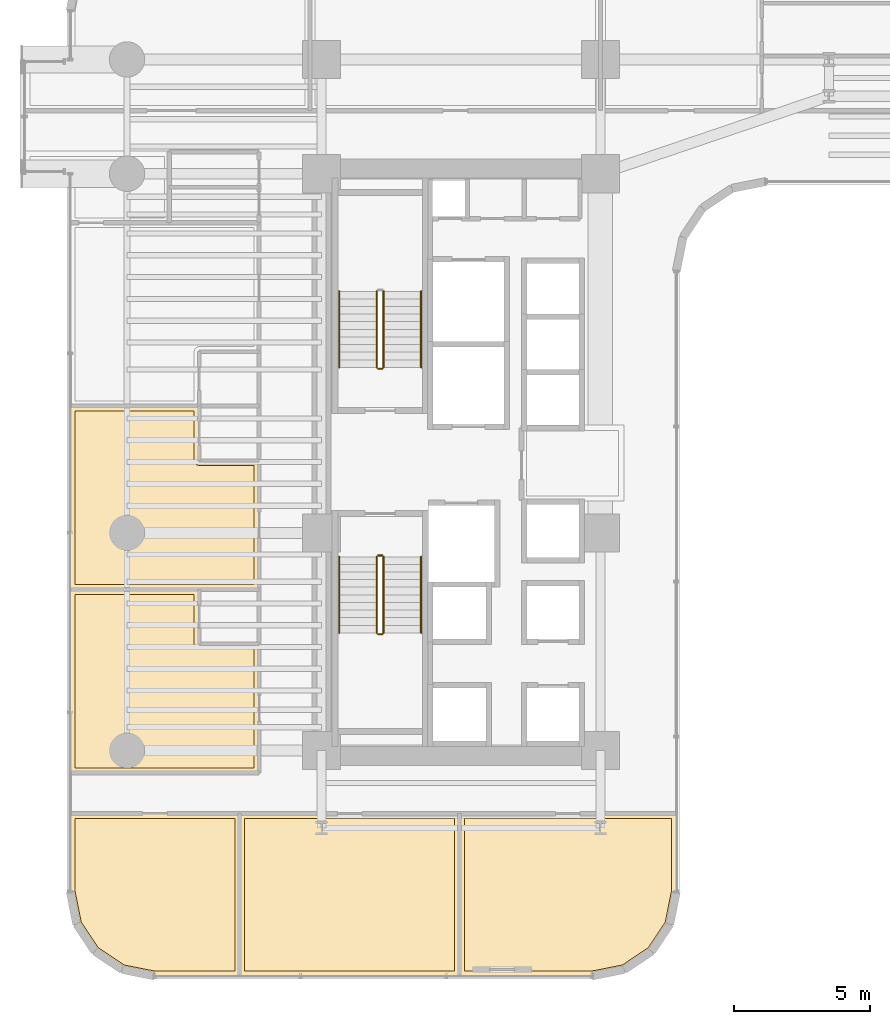
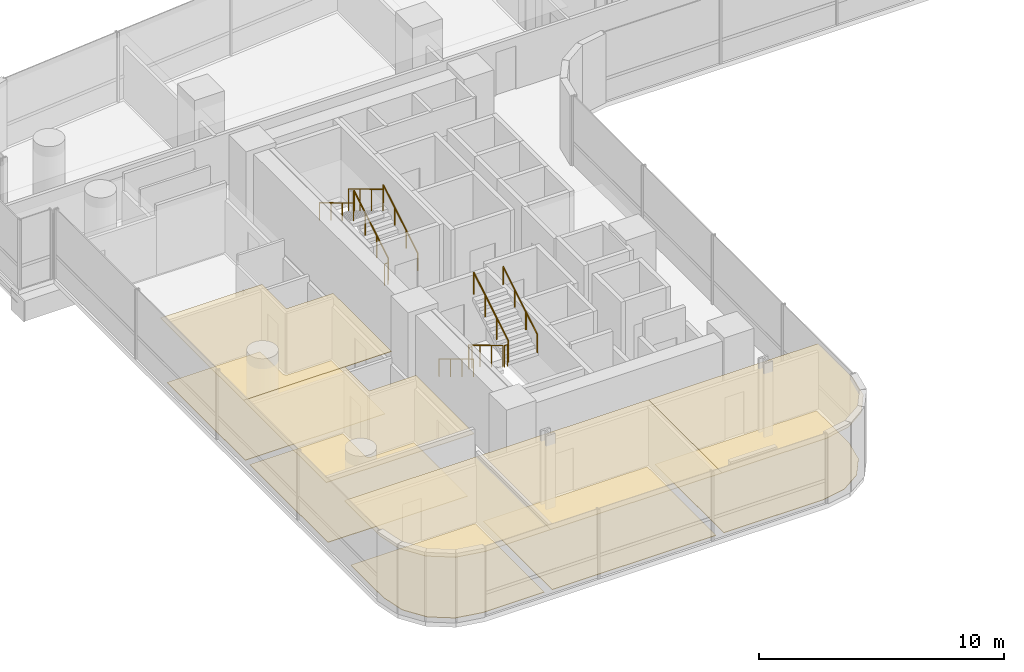
# One storey, part 37 of 41: 11 railings, 10 coverings.
"""IFC4 building model written with IfcOpenShell, lengths in metres."""

from ifc_helpers import new_model, si_unit, direction, frame, origin, origin_2d, place, context, subcontext, project, spatial, polyline, circle, outline, extrude, material, layer, layer_set, type_object, element, save


model = new_model("IFC4")

# Units and contexts
model_context = context("Model", 3, precision=1e-05, world=origin(), true_north=direction((0.0, 1.0)))
body_context = subcontext(model_context, "Body", "Model", "MODEL_VIEW")
ifc_project = project(units=[si_unit("LENGTHUNIT", "METRE"), si_unit("AREAUNIT", "SQUARE_METRE"), si_unit("VOLUMEUNIT", "CUBIC_METRE"), si_unit("PLANEANGLEUNIT", "RADIAN"), si_unit("MASSUNIT", "GRAM", prefix="KILO")], contexts=[model_context])

# Site, building, storey
site_placement = place(None, origin())
site = spatial("IfcSite", under=ifc_project, at=site_placement, CompositionType="ELEMENT")
building_placement = place(site_placement, origin())
building = spatial("IfcBuilding", under=site, at=building_placement, Name="Valdorenza Pilgrim Sanctuary Tower", CompositionType="ELEMENT")
storey_placement = place(building_placement, frame((0.0, 0.0, 85.199951171875)))
storey = spatial("IfcBuildingStorey", under=building, at=storey_placement, Name="L21", CompositionType="ELEMENT", Elevation=85.199951171875)

# Coverings
ifc_material_1 = material(Name="Micro-perforated acoustic mineral ceiling tile", Category="gypsum")
ifc_layer_1 = layer(ifc_material_1, 0.02490234375, Name="Micro-perforated acoustic mineral ceiling tile")
ifc_layer_set_1 = layer_set([ifc_layer_1], Name="Micro-perforated acoustic mineral ceiling tile")
covering_type_1 = type_object("IfcCoveringType", Name="COV-CLG-ACU", PredefinedType="CEILING", material=ifc_layer_set_1)
covering_1_placement = place(storey_placement, frame((0.0, 0.0, 3.16015625)))
element("IfcCovering", 1, at=covering_1_placement, inside=storey, type_object=covering_type_1, Name="L21 Sanctuary Guest Room L21-W1 Acoustic Ceiling", PredefinedType="CEILING", context=body_context, shape_type="SweptSolid", body=[
    extrude(outline(polyline([(-31.905029296875, -4.679931640625), (-31.90478515625, -4.678466796875), (-31.90478515625, -4.677001953125), (-31.904296875, -4.675537109375), (-31.90380859375, -4.67431640625), (-31.9033203125, -4.6728515625), (-31.902587890625, -4.671630859375), (-31.901611328125, -4.67041015625), (-31.900634765625, -4.66943359375), (-31.8994140625, -4.66845703125), (-31.898193359375, -4.66748046875), (-31.897216796875, -4.666748046875), (-31.895751953125, -4.666015625), (-31.894287109375, -4.66552734375), (-31.892822265625, -4.665283203125), (-31.8916015625, -4.6650390625), (-31.889892578125, -4.6650390625), (-27.152099609375, -4.6650390625), (-27.150390625, -4.6650390625), (-27.149169921875, -4.665283203125), (-27.147705078125, -4.66552734375), (-27.146240234375, -4.666015625), (-27.14501953125, -4.666748046875), (-27.143798828125, -4.66748046875), (-27.142578125, -4.66845703125), (-27.141357421875, -4.66943359375), (-27.140380859375, -4.67041015625), (-27.139404296875, -4.671630859375), (-27.138916015625, -4.6728515625), (-27.13818359375, -4.67431640625), (-27.1376953125, -4.675537109375), (-27.13720703125, -4.677001953125), (-27.13720703125, -4.678466796875), (-27.136962890625, -4.679931640625), (-27.136962890625, -6.6669921875), (-24.949951171875, -6.6669921875), (-24.948486328125, -6.6669921875), (-24.947021484375, -6.667236328125), (-24.945556640625, -6.66748046875), (-24.9443359375, -6.668212890625), (-24.94287109375, -6.668701171875), (-24.941650390625, -6.66943359375), (-24.9404296875, -6.67041015625), (-24.939453125, -6.67138671875), (-24.9384765625, -6.672607421875), (-24.9375, -6.673583984375), (-24.936767578125, -6.6748046875), (-24.93603515625, -6.67626953125), (-24.935546875, -6.677490234375), (-24.935302734375, -6.67919921875), (-24.93505859375, -6.680419921875), (-24.93505859375, -6.681884765625), (-24.93505859375, -11.419921875), (-24.93505859375, -11.42138671875), (-24.935302734375, -11.4228515625), (-24.935546875, -11.42431640625), (-24.93603515625, -11.42578125), (-24.936767578125, -11.427001953125), (-24.9375, -11.42822265625), (-24.9384765625, -11.429443359375), (-24.939453125, -11.4306640625), (-24.9404296875, -11.431640625), (-24.941650390625, -11.4326171875), (-24.94287109375, -11.43310546875), (-24.9443359375, -11.433837890625), (-24.945556640625, -11.434326171875), (-24.947021484375, -11.434814453125), (-24.948486328125, -11.434814453125), (-24.949951171875, -11.43505859375), (-31.889892578125, -11.43505859375), (-31.8916015625, -11.434814453125), (-31.892822265625, -11.434814453125), (-31.894287109375, -11.434326171875), (-31.895751953125, -11.433837890625), (-31.897216796875, -11.43310546875), (-31.898193359375, -11.4326171875), (-31.8994140625, -11.431640625), (-31.900634765625, -11.4306640625), (-31.901611328125, -11.429443359375), (-31.902587890625, -11.42822265625), (-31.9033203125, -11.427001953125), (-31.90380859375, -11.42578125), (-31.904296875, -11.42431640625), (-31.90478515625, -11.4228515625), (-31.90478515625, -11.42138671875), (-31.905029296875, -11.419921875), (-31.905029296875, -4.679931640625)])), origin(), (0.0, 0.0, 1.0), 0.02490234375),
])
covering_2_placement = place(storey_placement, frame((0.0, 0.0, 3.16015625)))
element("IfcCovering", 2, at=covering_2_placement, inside=storey, type_object=covering_type_1, Name="L21 Sanctuary Guest Room L21-W2 Acoustic Ceiling", PredefinedType="CEILING", context=body_context, shape_type="SweptSolid", body=[
    extrude(outline(polyline([(-31.905029296875, 2.06005859375), (-31.90478515625, 2.0615234375), (-31.90478515625, 2.06298828125), (-31.904296875, 2.064453125), (-31.90380859375, 2.065673828125), (-31.9033203125, 2.067138671875), (-31.902587890625, 2.068359375), (-31.901611328125, 2.069580078125), (-31.900634765625, 2.070556640625), (-31.8994140625, 2.071533203125), (-31.898193359375, 2.072509765625), (-31.897216796875, 2.0732421875), (-31.895751953125, 2.073974609375), (-31.894287109375, 2.074462890625), (-31.892822265625, 2.07470703125), (-31.8916015625, 2.074951171875), (-31.889892578125, 2.074951171875), (-27.152099609375, 2.074951171875), (-27.150390625, 2.074951171875), (-27.149169921875, 2.07470703125), (-27.147705078125, 2.074462890625), (-27.146240234375, 2.073974609375), (-27.14501953125, 2.0732421875), (-27.143798828125, 2.072509765625), (-27.142578125, 2.071533203125), (-27.141357421875, 2.070556640625), (-27.140380859375, 2.069580078125), (-27.139404296875, 2.068359375), (-27.138916015625, 2.067138671875), (-27.13818359375, 2.065673828125), (-27.1376953125, 2.064453125), (-27.13720703125, 2.06298828125), (-27.13720703125, 2.0615234375), (-27.136962890625, 2.06005859375), (-27.136962890625, 0.072998046875), (-24.949951171875, 0.072998046875), (-24.948486328125, 0.072998046875), (-24.947021484375, 0.07275390625), (-24.945556640625, 0.072509765625), (-24.9443359375, 0.072021484375), (-24.94287109375, 0.0712890625), (-24.941650390625, 0.070556640625), (-24.9404296875, 0.069580078125), (-24.939453125, 0.068603515625), (-24.9384765625, 0.0673828125), (-24.9375, 0.06640625), (-24.936767578125, 0.065185546875), (-24.93603515625, 0.063720703125), (-24.935546875, 0.0625), (-24.935302734375, 0.060791015625), (-24.93505859375, 0.0595703125), (-24.93505859375, 0.05810546875), (-24.93505859375, -4.677978515625), (-24.93505859375, -4.679443359375), (-24.935302734375, -4.680908203125), (-24.935546875, -4.682373046875), (-24.93603515625, -4.68359375), (-24.936767578125, -4.68505859375), (-24.9375, -4.686279296875), (-24.9384765625, -4.6875), (-24.939453125, -4.688720703125), (-24.9404296875, -4.689697265625), (-24.941650390625, -4.6904296875), (-24.94287109375, -4.691162109375), (-24.9443359375, -4.69189453125), (-24.945556640625, -4.6923828125), (-24.947021484375, -4.692626953125), (-24.948486328125, -4.69287109375), (-24.949951171875, -4.693115234375), (-27.148193359375, -4.693115234375), (-27.14892578125, -4.693115234375), (-27.150390625, -4.693359375), (-27.152099609375, -4.693115234375), (-27.153564453125, -4.693115234375), (-27.15380859375, -4.693115234375), (-31.889892578125, -4.693115234375), (-31.8916015625, -4.69287109375), (-31.892822265625, -4.692626953125), (-31.894287109375, -4.6923828125), (-31.895751953125, -4.69189453125), (-31.897216796875, -4.691162109375), (-31.898193359375, -4.6904296875), (-31.8994140625, -4.689697265625), (-31.900634765625, -4.688720703125), (-31.901611328125, -4.6875), (-31.902587890625, -4.686279296875), (-31.9033203125, -4.68505859375), (-31.90380859375, -4.68359375), (-31.904296875, -4.682373046875), (-31.90478515625, -4.680908203125), (-31.90478515625, -4.679443359375), (-31.905029296875, -4.677978515625), (-31.905029296875, 2.06005859375)])), origin(), (0.0, 0.0, 1.0), 0.02490234375),
])
covering_3_placement = place(storey_placement, frame((0.0, 0.0, 3.16015625)))
element("IfcCovering", 3, at=covering_3_placement, inside=storey, type_object=covering_type_1, Name="L21 Retreat Discussion Room L21-S1 Acoustic Ceiling", PredefinedType="CEILING", context=body_context, shape_type="SweptSolid", body=[
    extrude(outline(polyline([(-25.64501953125, -18.889892578125), (-25.64501953125, -18.8916015625), (-25.645263671875, -18.892822265625), (-25.6455078125, -18.894287109375), (-25.64599609375, -18.895751953125), (-25.646728515625, -18.897216796875), (-25.6474609375, -18.898193359375), (-25.6484375, -18.8994140625), (-25.6494140625, -18.900634765625), (-25.650390625, -18.901611328125), (-25.651611328125, -18.902587890625), (-25.65283203125, -18.9033203125), (-25.654296875, -18.90380859375), (-25.655517578125, -18.904296875), (-25.656982421875, -18.90478515625), (-25.658447265625, -18.90478515625), (-25.659912109375, -18.905029296875), (-28.789306640625, -18.905029296875), (-28.79052734375, -18.90478515625), (-28.7919921875, -18.90478515625), (-29.984619140625, -18.66748046875), (-29.986083984375, -18.6669921875), (-29.9873046875, -18.66650390625), (-29.98876953125, -18.666015625), (-29.989990234375, -18.665283203125), (-30.99169921875, -17.995849609375), (-30.992919921875, -17.9951171875), (-30.993896484375, -17.993896484375), (-30.9951171875, -17.992919921875), (-30.995849609375, -17.99169921875), (-31.665283203125, -16.989990234375), (-31.666015625, -16.98876953125), (-31.66650390625, -16.9873046875), (-31.6669921875, -16.986083984375), (-31.66748046875, -16.984619140625), (-31.90478515625, -15.7919921875), (-31.90478515625, -15.79052734375), (-31.905029296875, -15.789306640625), (-31.905029296875, -12.919921875), (-31.90478515625, -12.91845703125), (-31.90478515625, -12.9169921875), (-31.904296875, -12.91552734375), (-31.90380859375, -12.914306640625), (-31.9033203125, -12.912841796875), (-31.902587890625, -12.91162109375), (-31.901611328125, -12.910400390625), (-31.900634765625, -12.909423828125), (-31.8994140625, -12.908447265625), (-31.898193359375, -12.907470703125), (-31.897216796875, -12.90673828125), (-31.895751953125, -12.906005859375), (-31.894287109375, -12.905517578125), (-31.892822265625, -12.9052734375), (-31.8916015625, -12.905029296875), (-31.889892578125, -12.905029296875), (-25.659912109375, -12.905029296875), (-25.658447265625, -12.905029296875), (-25.656982421875, -12.9052734375), (-25.655517578125, -12.905517578125), (-25.654296875, -12.906005859375), (-25.65283203125, -12.90673828125), (-25.651611328125, -12.907470703125), (-25.650390625, -12.908447265625), (-25.6494140625, -12.909423828125), (-25.6484375, -12.910400390625), (-25.6474609375, -12.91162109375), (-25.646728515625, -12.912841796875), (-25.64599609375, -12.914306640625), (-25.6455078125, -12.91552734375), (-25.645263671875, -12.9169921875), (-25.64501953125, -12.91845703125), (-25.64501953125, -12.919921875), (-25.64501953125, -18.889892578125)])), origin(), (0.0, 0.0, 1.0), 0.02490234375),
])
covering_4_placement = place(storey_placement, frame((0.0, 0.0, 3.16015625)))
element("IfcCovering", 4, at=covering_4_placement, inside=storey, type_object=covering_type_1, Name="L21 Retreat Discussion Room L21-S2 Acoustic Ceiling", PredefinedType="CEILING", context=body_context, shape_type="SweptSolid", body=[
    extrude(outline(polyline([(-17.580078125, -12.905029296875), (-17.57861328125, -12.905029296875), (-17.5771484375, -12.9052734375), (-17.57568359375, -12.905517578125), (-17.57421875, -12.906005859375), (-17.572998046875, -12.90673828125), (-17.57177734375, -12.907470703125), (-17.570556640625, -12.908447265625), (-17.5693359375, -12.909423828125), (-17.568359375, -12.910400390625), (-17.5673828125, -12.91162109375), (-17.56689453125, -12.912841796875), (-17.566162109375, -12.914306640625), (-17.565673828125, -12.91552734375), (-17.565185546875, -12.9169921875), (-17.565185546875, -12.91845703125), (-17.56494140625, -12.919921875), (-17.56494140625, -18.889892578125), (-17.565185546875, -18.8916015625), (-17.565185546875, -18.892822265625), (-17.565673828125, -18.894287109375), (-17.566162109375, -18.895751953125), (-17.56689453125, -18.897216796875), (-17.5673828125, -18.898193359375), (-17.568359375, -18.8994140625), (-17.5693359375, -18.900634765625), (-17.570556640625, -18.901611328125), (-17.57177734375, -18.902587890625), (-17.572998046875, -18.9033203125), (-17.57421875, -18.90380859375), (-17.57568359375, -18.904296875), (-17.5771484375, -18.90478515625), (-17.57861328125, -18.90478515625), (-17.580078125, -18.905029296875), (-25.657958984375, -18.905029296875), (-25.659423828125, -18.90478515625), (-25.660888671875, -18.90478515625), (-25.662353515625, -18.904296875), (-25.663818359375, -18.90380859375), (-25.6650390625, -18.9033203125), (-25.666259765625, -18.902587890625), (-25.66748046875, -18.901611328125), (-25.668701171875, -18.900634765625), (-25.669677734375, -18.8994140625), (-25.67041015625, -18.898193359375), (-25.671142578125, -18.897216796875), (-25.671875, -18.895751953125), (-25.67236328125, -18.894287109375), (-25.672607421875, -18.892822265625), (-25.6728515625, -18.8916015625), (-25.673095703125, -18.889892578125), (-25.673095703125, -12.919921875), (-25.6728515625, -12.91845703125), (-25.672607421875, -12.9169921875), (-25.67236328125, -12.91552734375), (-25.671875, -12.914306640625), (-25.671142578125, -12.912841796875), (-25.67041015625, -12.91162109375), (-25.669677734375, -12.910400390625), (-25.668701171875, -12.909423828125), (-25.66748046875, -12.908447265625), (-25.666259765625, -12.907470703125), (-25.6650390625, -12.90673828125), (-25.663818359375, -12.906005859375), (-25.662353515625, -12.905517578125), (-25.660888671875, -12.9052734375), (-25.659423828125, -12.905029296875), (-25.657958984375, -12.905029296875), (-17.580078125, -12.905029296875)])), origin(), (0.0, 0.0, 1.0), 0.02490234375),
])
covering_5_placement = place(storey_placement, frame((0.0, 0.0, 3.16015625)))
element("IfcCovering", 5, at=covering_5_placement, inside=storey, type_object=covering_type_1, Name="L21 Retreat Discussion Room L21-S3 Acoustic Ceiling", PredefinedType="CEILING", context=body_context, shape_type="SweptSolid", body=[
    extrude(outline(polyline([(-9.610107421875, -12.905029296875), (-9.6083984375, -12.905029296875), (-9.607177734375, -12.9052734375), (-9.605712890625, -12.905517578125), (-9.604248046875, -12.906005859375), (-9.602783203125, -12.90673828125), (-9.601806640625, -12.907470703125), (-9.6005859375, -12.908447265625), (-9.599365234375, -12.909423828125), (-9.598388671875, -12.910400390625), (-9.597412109375, -12.91162109375), (-9.5966796875, -12.912841796875), (-9.59619140625, -12.914306640625), (-9.595703125, -12.91552734375), (-9.59521484375, -12.9169921875), (-9.59521484375, -12.91845703125), (-9.594970703125, -12.919921875), (-9.594970703125, -15.789306640625), (-9.59521484375, -15.79052734375), (-9.59521484375, -15.7919921875), (-9.83251953125, -16.984619140625), (-9.8330078125, -16.986083984375), (-9.83349609375, -16.9873046875), (-9.833984375, -16.98876953125), (-9.834716796875, -16.989990234375), (-10.504150390625, -17.99169921875), (-10.5048828125, -17.992919921875), (-10.506103515625, -17.993896484375), (-10.507080078125, -17.9951171875), (-10.50830078125, -17.995849609375), (-11.510009765625, -18.665283203125), (-11.51123046875, -18.666015625), (-11.5126953125, -18.66650390625), (-11.513916015625, -18.6669921875), (-11.515380859375, -18.66748046875), (-12.7080078125, -18.90478515625), (-12.70947265625, -18.90478515625), (-12.710693359375, -18.905029296875), (-17.577880859375, -18.905029296875), (-17.57958984375, -18.90478515625), (-17.580810546875, -18.90478515625), (-17.58251953125, -18.904296875), (-17.583740234375, -18.90380859375), (-17.585205078125, -18.9033203125), (-17.586181640625, -18.902587890625), (-17.58740234375, -18.901611328125), (-17.588623046875, -18.900634765625), (-17.589599609375, -18.8994140625), (-17.590576171875, -18.898193359375), (-17.59130859375, -18.897216796875), (-17.591796875, -18.895751953125), (-17.59228515625, -18.894287109375), (-17.5927734375, -18.892822265625), (-17.593017578125, -18.8916015625), (-17.593017578125, -18.889892578125), (-17.593017578125, -12.919921875), (-17.593017578125, -12.91845703125), (-17.5927734375, -12.9169921875), (-17.59228515625, -12.91552734375), (-17.591796875, -12.914306640625), (-17.59130859375, -12.912841796875), (-17.590576171875, -12.91162109375), (-17.589599609375, -12.910400390625), (-17.588623046875, -12.909423828125), (-17.58740234375, -12.908447265625), (-17.586181640625, -12.907470703125), (-17.585205078125, -12.90673828125), (-17.583740234375, -12.906005859375), (-17.58251953125, -12.905517578125), (-17.580810546875, -12.9052734375), (-17.57958984375, -12.905029296875), (-17.577880859375, -12.905029296875), (-9.610107421875, -12.905029296875)])), origin(), (0.0, 0.0, 1.0), 0.02490234375),
])
ifc_material_2 = material(Name="Engineered European oak timber flooring", Category="wood")
ifc_layer_2 = layer(ifc_material_2, 0.02197265625, Name="Engineered European oak timber flooring")
ifc_layer_set_2 = layer_set([ifc_layer_2], Name="Engineered European oak timber flooring")
covering_type_2 = type_object("IfcCoveringType", Name="COV-FLR-OAK", PredefinedType="FLOORING", material=ifc_layer_set_2)
covering_6_placement = place(storey_placement, origin())
element("IfcCovering", 6, at=covering_6_placement, inside=storey, type_object=covering_type_2, Name="L21 Sanctuary Guest Room L21-W1 Flooring", PredefinedType="FLOORING", context=body_context, shape_type="SweptSolid", body=[
    extrude(outline(polyline([(-31.7099609375, -4.860107421875), (-27.33203125, -4.860107421875), (-27.33203125, -6.679931640625), (-27.331787109375, -6.688720703125), (-27.331787109375, -6.68896484375), (-27.330078125, -6.70654296875), (-27.330078125, -6.706787109375), (-27.32666015625, -6.72412109375), (-27.326416015625, -6.724365234375), (-27.3212890625, -6.7412109375), (-27.3212890625, -6.741455078125), (-27.314697265625, -6.7578125), (-27.314453125, -6.7578125), (-27.30615234375, -6.7734375), (-27.30615234375, -6.773681640625), (-27.296142578125, -6.788330078125), (-27.296142578125, -6.78857421875), (-27.284912109375, -6.802001953125), (-27.284912109375, -6.80224609375), (-27.272216796875, -6.814697265625), (-27.272216796875, -6.81494140625), (-27.258544921875, -6.826171875), (-27.25830078125, -6.826171875), (-27.24365234375, -6.836181640625), (-27.243408203125, -6.836181640625), (-27.227783203125, -6.844482421875), (-27.227783203125, -6.844482421875), (-27.21142578125, -6.851318359375), (-27.211181640625, -6.851318359375), (-27.1943359375, -6.8564453125), (-27.194091796875, -6.856689453125), (-27.1767578125, -6.860107421875), (-27.176513671875, -6.860107421875), (-27.158935546875, -6.86181640625), (-27.15869140625, -6.86181640625), (-27.14990234375, -6.862060546875), (-25.1298828125, -6.862060546875), (-25.1298828125, -11.239990234375), (-31.7099609375, -11.239990234375), (-31.7099609375, -4.860107421875)])), origin(), (0.0, 0.0, 1.0), 0.025146484375),
])
covering_7_placement = place(storey_placement, origin())
element("IfcCovering", 7, at=covering_7_placement, inside=storey, type_object=covering_type_2, Name="L21 Sanctuary Guest Room L21-W2 Flooring", PredefinedType="FLOORING", context=body_context, shape_type="SweptSolid", body=[
    extrude(outline(polyline([(-31.7099609375, 1.8798828125), (-27.33203125, 1.8798828125), (-27.33203125, 0.06005859375), (-27.331787109375, 0.05126953125), (-27.331787109375, 0.051025390625), (-27.330078125, 0.033447265625), (-27.330078125, 0.033203125), (-27.32666015625, 0.015869140625), (-27.326416015625, 0.015625), (-27.3212890625, -0.001220703125), (-27.3212890625, -0.00146484375), (-27.314697265625, -0.017578125), (-27.314453125, -0.017822265625), (-27.30615234375, -0.033447265625), (-27.30615234375, -0.03369140625), (-27.296142578125, -0.04833984375), (-27.296142578125, -0.048583984375), (-27.284912109375, -0.06201171875), (-27.284912109375, -0.062255859375), (-27.272216796875, -0.07470703125), (-27.272216796875, -0.074951171875), (-27.258544921875, -0.086181640625), (-27.25830078125, -0.086181640625), (-27.24365234375, -0.09619140625), (-27.243408203125, -0.09619140625), (-27.227783203125, -0.1044921875), (-27.227783203125, -0.1044921875), (-27.21142578125, -0.111328125), (-27.211181640625, -0.111328125), (-27.1943359375, -0.116455078125), (-27.194091796875, -0.11669921875), (-27.1767578125, -0.1201171875), (-27.176513671875, -0.1201171875), (-27.158935546875, -0.121826171875), (-27.15869140625, -0.121826171875), (-27.14990234375, -0.1220703125), (-25.1298828125, -0.1220703125), (-25.1298828125, -4.498046875), (-27.14990234375, -4.498046875), (-27.15087890625, -4.498046875), (-27.151611328125, -4.498046875), (-27.152099609375, -4.498046875), (-31.7099609375, -4.498046875), (-31.7099609375, 1.8798828125)])), origin(), (0.0, 0.0, 1.0), 0.025146484375),
])
covering_8_placement = place(storey_placement, origin())
element("IfcCovering", 8, at=covering_8_placement, inside=storey, type_object=covering_type_2, Name="L21 Retreat Discussion Room L21-S1 Flooring", PredefinedType="FLOORING", context=body_context, shape_type="SweptSolid", body=[
    extrude(outline(polyline([(-25.840087890625, -18.7099609375), (-28.771484375, -18.7099609375), (-29.911376953125, -18.483154296875), (-30.853515625, -17.853515625), (-31.483154296875, -16.911376953125), (-31.7099609375, -15.771484375), (-31.7099609375, -13.10009765625), (-25.840087890625, -13.10009765625), (-25.840087890625, -18.7099609375)])), origin(), (0.0, 0.0, 1.0), 0.025146484375),
])
covering_9_placement = place(storey_placement, origin())
element("IfcCovering", 9, at=covering_9_placement, inside=storey, type_object=covering_type_2, Name="L21 Retreat Discussion Room L21-S2 Flooring", PredefinedType="FLOORING", context=body_context, shape_type="SweptSolid", body=[
    extrude(outline(polyline([(-17.760009765625, -13.10009765625), (-17.760009765625, -18.7099609375), (-25.47802734375, -18.7099609375), (-25.47802734375, -13.10009765625), (-17.760009765625, -13.10009765625)])), origin(), (0.0, 0.0, 1.0), 0.025146484375),
])
covering_10_placement = place(storey_placement, origin())
element("IfcCovering", 10, at=covering_10_placement, inside=storey, type_object=covering_type_2, Name="L21 Retreat Discussion Room L21-S3 Flooring", PredefinedType="FLOORING", context=body_context, shape_type="SweptSolid", body=[
    extrude(outline(polyline([(-9.7900390625, -13.10009765625), (-9.7900390625, -15.771484375), (-10.016845703125, -16.911376953125), (-10.646484375, -17.853515625), (-11.588623046875, -18.483154296875), (-12.728515625, -18.7099609375), (-17.39794921875, -18.7099609375), (-17.39794921875, -13.10009765625), (-9.7900390625, -13.10009765625)])), origin(), (0.0, 0.0, 1.0), 0.025146484375),
])

# Railings
ifc_material_3 = material(Name="Stainless steel Grade 316", Category="steel")
railing_type_1 = type_object("IfcRailingType", Name="RLG-GRD-1120", PredefinedType="GUARDRAIL", material=ifc_material_3)
railing_1_placement = place(storey_placement, frame((-20.3701171875, 3.47998046875, 0.168212890625)))
element("IfcRailing", 11, at=railing_1_placement, inside=storey, type_object=railing_type_1, Name="L21 ST-A1 stair guard 1", PredefinedType="GUARDRAIL", context=body_context, shape_type="SweptSolid", body=[
    extrude(circle(Radius=0.02392578125, at=origin_2d()), frame((0.0, 0.0, 1.076171875), z_axis=(0.0, 0.857242210791, 0.514913383045), x_axis=(-1.0, 0.0, 0.0)), (0.0, 0.0, 1.0), 3.266357421875),
    extrude(circle(Radius=0.02099609375, at=origin_2d()), origin(), (0.0, 0.0, 1.0), 1.052001953125),
    extrude(circle(Radius=0.02099609375, at=origin_2d()), frame((0.0, 0.933349609375, 0.560546875)), (0.0, 0.0, 1.0), 1.052001953125),
    extrude(circle(Radius=0.02099609375, at=origin_2d()), frame((0.0, 1.86669921875, 1.121337890625)), (0.0, 0.0, 1.0), 1.052001953125),
    extrude(circle(Radius=0.02099609375, at=origin_2d()), frame((0.0, 2.800048828125, 1.681884765625)), (0.0, 0.0, 1.0), 1.052001953125),
])
railing_2_placement = place(storey_placement, frame((-20.6201171875, 6.280029296875, 2.018310546875)))
element("IfcRailing", 12, at=railing_2_placement, inside=storey, type_object=railing_type_1, Name="L21 ST-A1 stair guard 3", PredefinedType="GUARDRAIL", context=body_context, shape_type="SweptSolid", body=[
    extrude(circle(Radius=0.02392578125, at=origin_2d()), frame((0.0, 0.0, 1.076171875), z_axis=(0.0, -0.857275202839, 0.514858452973), x_axis=(1.0, 0.0, 0.0)), (0.0, 0.0, 1.0), 3.26611328125),
    extrude(circle(Radius=0.02099609375, at=origin_2d()), origin(), (0.0, 0.0, 1.0), 1.052001953125),
    extrude(circle(Radius=0.02099609375, at=origin_2d()), frame((0.0, -0.933349609375, 0.560546875)), (0.0, 0.0, 1.0), 1.052001953125),
    extrude(circle(Radius=0.02099609375, at=origin_2d()), frame((0.0, -1.86669921875, 1.12109375)), (0.0, 0.0, 1.0), 1.052001953125),
    extrude(circle(Radius=0.02099609375, at=origin_2d()), frame((0.0, -2.800048828125, 1.681640625)), (0.0, 0.0, 1.0), 1.052001953125),
])
railing_3_placement = place(storey_placement, frame((-20.419921875, 3.429931640625, 0.0)))
element("IfcRailing", 13, at=railing_3_placement, inside=storey, type_object=railing_type_1, Name="L21 ST-A1 stair guard 4", PredefinedType="GUARDRAIL", context=body_context, shape_type="SweptSolid", body=[
    extrude(circle(Radius=0.02392578125, at=origin_2d()), frame((0.0, 0.0, 1.076171875), z_axis=(-1.0, 0.0, 0.0), x_axis=(0.0, -1.0, 0.0)), (0.0, 0.0, 1.0), 0.150146484375),
    extrude(circle(Radius=0.02099609375, at=origin_2d()), origin(), (0.0, 0.0, 1.0), 1.052001953125),
    extrude(circle(Radius=0.02099609375, at=origin_2d()), frame((-0.150146484375, 0.0, 0.0)), (0.0, 0.0, 1.0), 1.052001953125),
])
railing_4_placement = place(storey_placement, frame((-20.6201171875, -3.47998046875, 0.168212890625)))
element("IfcRailing", 14, at=railing_4_placement, inside=storey, type_object=railing_type_1, Name="L21 ST-A2 stair guard 1", PredefinedType="GUARDRAIL", context=body_context, shape_type="SweptSolid", body=[
    extrude(circle(Radius=0.02392578125, at=origin_2d()), frame((0.0, 0.0, 1.076171875), z_axis=(0.0, -0.857242210791, 0.514913383045), x_axis=(1.0, 0.0, 0.0)), (0.0, 0.0, 1.0), 3.266357421875),
    extrude(circle(Radius=0.02099609375, at=origin_2d()), origin(), (0.0, 0.0, 1.0), 1.052001953125),
    extrude(circle(Radius=0.02099609375, at=origin_2d()), frame((0.0, -0.933349609375, 0.560546875)), (0.0, 0.0, 1.0), 1.052001953125),
    extrude(circle(Radius=0.02099609375, at=origin_2d()), frame((0.0, -1.86669921875, 1.121337890625)), (0.0, 0.0, 1.0), 1.052001953125),
    extrude(circle(Radius=0.02099609375, at=origin_2d()), frame((0.0, -2.800048828125, 1.681884765625)), (0.0, 0.0, 1.0), 1.052001953125),
])
railing_5_placement = place(storey_placement, frame((-20.570068359375, -6.330078125, 1.85009765625)))
element("IfcRailing", 15, at=railing_5_placement, inside=storey, type_object=railing_type_1, Name="L21 ST-A2 stair guard 2", PredefinedType="GUARDRAIL", context=body_context, shape_type="SweptSolid", body=[
    extrude(circle(Radius=0.02392578125, at=origin_2d()), frame((0.0, 0.0, 1.076171875), z_axis=(1.0, 0.0, 0.0), x_axis=(0.0, 1.0, 0.0)), (0.0, 0.0, 1.0), 0.150146484375),
    extrude(circle(Radius=0.02099609375, at=origin_2d()), origin(), (0.0, 0.0, 1.0), 1.052001953125),
    extrude(circle(Radius=0.02099609375, at=origin_2d()), frame((0.150146484375, 0.0, 0.0)), (0.0, 0.0, 1.0), 1.052001953125),
])
railing_6_placement = place(storey_placement, frame((-20.3701171875, -6.280029296875, 2.018310546875)))
element("IfcRailing", 16, at=railing_6_placement, inside=storey, type_object=railing_type_1, Name="L21 ST-A2 stair guard 3", PredefinedType="GUARDRAIL", context=body_context, shape_type="SweptSolid", body=[
    extrude(circle(Radius=0.02392578125, at=origin_2d()), frame((0.0, 0.0, 1.076171875), z_axis=(0.0, 0.857275202839, 0.514858452973), x_axis=(-1.0, 0.0, 0.0)), (0.0, 0.0, 1.0), 3.26611328125),
    extrude(circle(Radius=0.02099609375, at=origin_2d()), origin(), (0.0, 0.0, 1.0), 1.052001953125),
    extrude(circle(Radius=0.02099609375, at=origin_2d()), frame((0.0, 0.933349609375, 0.560546875)), (0.0, 0.0, 1.0), 1.052001953125),
    extrude(circle(Radius=0.02099609375, at=origin_2d()), frame((0.0, 1.86669921875, 1.12109375)), (0.0, 0.0, 1.0), 1.052001953125),
    extrude(circle(Radius=0.02099609375, at=origin_2d()), frame((0.0, 2.800048828125, 1.681640625)), (0.0, 0.0, 1.0), 1.052001953125),
])
railing_7_placement = place(storey_placement, frame((-20.570068359375, -3.429931640625, 0.0)))
element("IfcRailing", 17, at=railing_7_placement, inside=storey, type_object=railing_type_1, Name="L21 ST-A2 stair guard 4", PredefinedType="GUARDRAIL", context=body_context, shape_type="SweptSolid", body=[
    extrude(circle(Radius=0.02392578125, at=origin_2d()), frame((0.0, 0.0, 1.076171875), z_axis=(1.0, 0.0, 0.0), x_axis=(0.0, 1.0, 0.0)), (0.0, 0.0, 1.0), 0.150146484375),
    extrude(circle(Radius=0.02099609375, at=origin_2d()), origin(), (0.0, 0.0, 1.0), 1.052001953125),
    extrude(circle(Radius=0.02099609375, at=origin_2d()), frame((0.150146484375, 0.0, 0.0)), (0.0, 0.0, 1.0), 1.052001953125),
])
ifc_material_4 = material(Name="Brushed stainless steel Grade 316", Category="steel")
railing_type_2 = type_object("IfcRailingType", Name="RLG-HND-920", PredefinedType="HANDRAIL", material=ifc_material_4)
railing_8_placement = place(storey_placement, frame((-18.989990234375, 3.47998046875, 0.168212890625)))
element("IfcRailing", 18, at=railing_8_placement, inside=storey, type_object=railing_type_2, Name="L21 ST-A1 stair handrail 1", PredefinedType="HANDRAIL", context=body_context, shape_type="SweptSolid", body=[
    extrude(circle(Radius=0.02392578125, at=origin_2d()), frame((0.0, 0.0, 0.8759765625), z_axis=(0.0, 0.857242210791, 0.514913383045), x_axis=(-1.0, 0.0, 0.0)), (0.0, 0.0, 1.0), 3.266357421875),
    extrude(circle(Radius=0.02099609375, at=origin_2d()), origin(), (0.0, 0.0, 1.0), 0.851806640625),
    extrude(circle(Radius=0.02099609375, at=origin_2d()), frame((0.0, 0.933349609375, 0.560546875)), (0.0, 0.0, 1.0), 0.851806640625),
    extrude(circle(Radius=0.02099609375, at=origin_2d()), frame((0.0, 1.86669921875, 1.121337890625)), (0.0, 0.0, 1.0), 0.851806640625),
    extrude(circle(Radius=0.02099609375, at=origin_2d()), frame((0.0, 2.800048828125, 1.681884765625)), (0.0, 0.0, 1.0), 0.851806640625),
])
railing_9_placement = place(storey_placement, frame((-22.0, 6.280029296875, 2.018310546875)))
element("IfcRailing", 19, at=railing_9_placement, inside=storey, type_object=railing_type_2, Name="L21 ST-A1 stair handrail 2", PredefinedType="HANDRAIL", context=body_context, shape_type="SweptSolid", body=[
    extrude(circle(Radius=0.02392578125, at=origin_2d()), frame((0.0, 0.0, 0.8759765625), z_axis=(0.0, -0.857275202839, 0.514858452973), x_axis=(1.0, 0.0, 0.0)), (0.0, 0.0, 1.0), 3.26611328125),
    extrude(circle(Radius=0.02099609375, at=origin_2d()), origin(), (0.0, 0.0, 1.0), 0.851806640625),
    extrude(circle(Radius=0.02099609375, at=origin_2d()), frame((0.0, -0.933349609375, 0.560546875)), (0.0, 0.0, 1.0), 0.851806640625),
    extrude(circle(Radius=0.02099609375, at=origin_2d()), frame((0.0, -1.86669921875, 1.12109375)), (0.0, 0.0, 1.0), 0.851806640625),
    extrude(circle(Radius=0.02099609375, at=origin_2d()), frame((0.0, -2.800048828125, 1.681640625)), (0.0, 0.0, 1.0), 0.851806640625),
])
railing_10_placement = place(storey_placement, frame((-22.0, -3.47998046875, 0.168212890625)))
element("IfcRailing", 20, at=railing_10_placement, inside=storey, type_object=railing_type_2, Name="L21 ST-A2 stair handrail 1", PredefinedType="HANDRAIL", context=body_context, shape_type="SweptSolid", body=[
    extrude(circle(Radius=0.02392578125, at=origin_2d()), frame((0.0, 0.0, 0.8759765625), z_axis=(0.0, -0.857242210791, 0.514913383045), x_axis=(1.0, 0.0, 0.0)), (0.0, 0.0, 1.0), 3.266357421875),
    extrude(circle(Radius=0.02099609375, at=origin_2d()), origin(), (0.0, 0.0, 1.0), 0.851806640625),
    extrude(circle(Radius=0.02099609375, at=origin_2d()), frame((0.0, -0.933349609375, 0.560546875)), (0.0, 0.0, 1.0), 0.851806640625),
    extrude(circle(Radius=0.02099609375, at=origin_2d()), frame((0.0, -1.86669921875, 1.121337890625)), (0.0, 0.0, 1.0), 0.851806640625),
    extrude(circle(Radius=0.02099609375, at=origin_2d()), frame((0.0, -2.800048828125, 1.681884765625)), (0.0, 0.0, 1.0), 0.851806640625),
])
railing_11_placement = place(storey_placement, frame((-18.989990234375, -6.280029296875, 2.018310546875)))
element("IfcRailing", 21, at=railing_11_placement, inside=storey, type_object=railing_type_2, Name="L21 ST-A2 stair handrail 2", PredefinedType="HANDRAIL", context=body_context, shape_type="SweptSolid", body=[
    extrude(circle(Radius=0.02392578125, at=origin_2d()), frame((0.0, 0.0, 0.8759765625), z_axis=(0.0, 0.857275202839, 0.514858452973), x_axis=(-1.0, 0.0, 0.0)), (0.0, 0.0, 1.0), 3.26611328125),
    extrude(circle(Radius=0.02099609375, at=origin_2d()), origin(), (0.0, 0.0, 1.0), 0.851806640625),
    extrude(circle(Radius=0.02099609375, at=origin_2d()), frame((0.0, 0.933349609375, 0.560546875)), (0.0, 0.0, 1.0), 0.851806640625),
    extrude(circle(Radius=0.02099609375, at=origin_2d()), frame((0.0, 1.86669921875, 1.12109375)), (0.0, 0.0, 1.0), 0.851806640625),
    extrude(circle(Radius=0.02099609375, at=origin_2d()), frame((0.0, 2.800048828125, 1.681640625)), (0.0, 0.0, 1.0), 0.851806640625),
])

save(model, "model.ifc")
